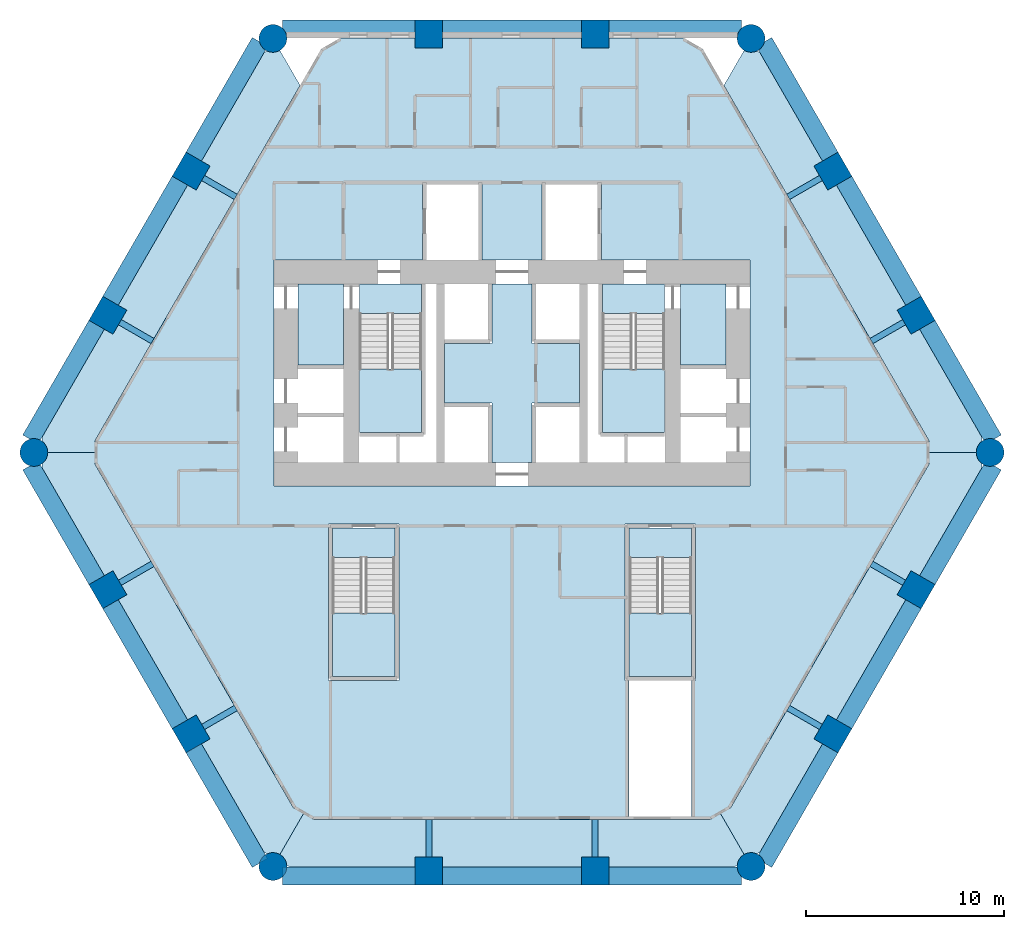
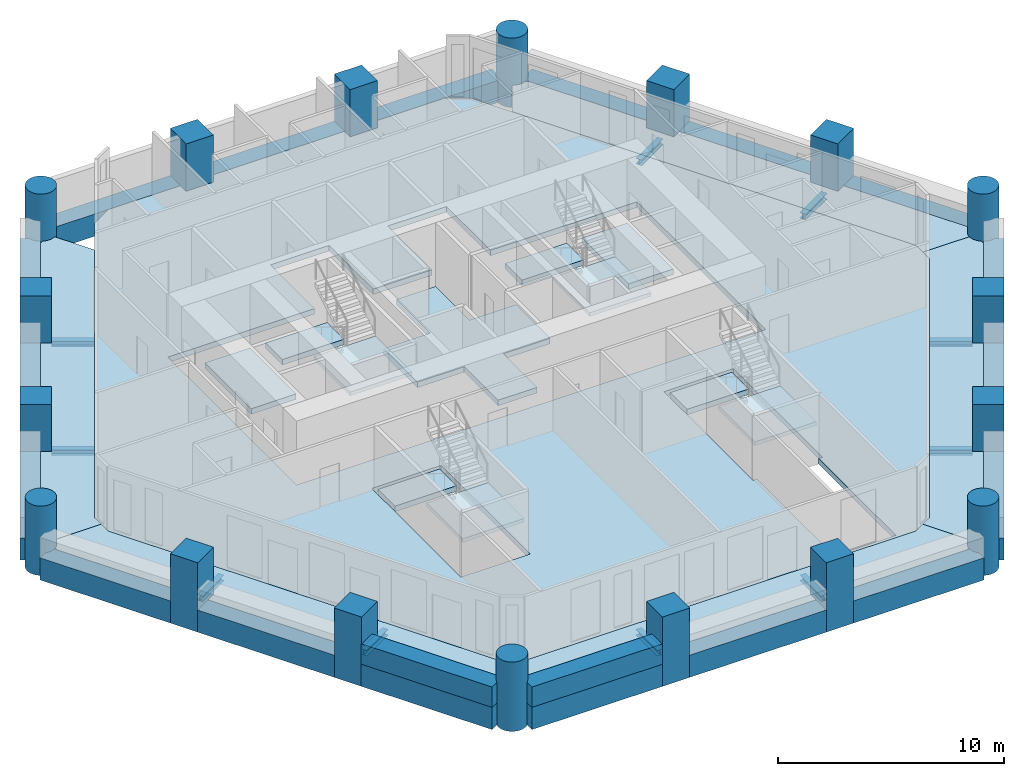
# One storey, part 1 of 8: 28 beams, 18 columns, 17 slabs, 2 walls, 4 elements without a shape of their own.
"""IFC4 building model written with IfcOpenShell, lengths in metres."""

from ifc_helpers import new_model, si_unit, direction, frame, frame_2d, origin, origin_2d, place, context, subcontext, project, spatial, polyline, rectangle, circle, i_section, outline, extrude, material, layer, layer_set, material_profile, profile_set, type_object, element, aggregate, save


model = new_model("IFC4")

# Units and contexts
model_context = context("Model", 3, precision=1e-05, world=origin(), true_north=direction((0.0, 1.0)))
body_context = subcontext(model_context, "Body", "Model", "MODEL_VIEW")
ifc_project = project(units=[si_unit("LENGTHUNIT", "METRE"), si_unit("AREAUNIT", "SQUARE_METRE"), si_unit("VOLUMEUNIT", "CUBIC_METRE"), si_unit("PLANEANGLEUNIT", "RADIAN"), si_unit("MASSUNIT", "GRAM", prefix="KILO")], contexts=[model_context])

# Site, building, storey
site_placement = place(None, origin())
site = spatial("IfcSite", under=ifc_project, at=site_placement, CompositionType="ELEMENT")
building_placement = place(site_placement, origin())
building = spatial("IfcBuilding", under=site, at=building_placement, Name="Ostrander Bayou Hotel Tower", CompositionType="ELEMENT")
storey_placement = place(building_placement, frame((0.0, 0.0, 31.75)))
storey = spatial("IfcBuildingStorey", under=building, at=storey_placement, Name="L07", CompositionType="ELEMENT", Elevation=31.75)

# Columns
ifc_material_1 = material(Name="Concrete f'c 70 MPa", Category="concrete")
ifc_material_profile_1 = material_profile(ifc_material_1, circle(Radius=0.699951171875, at=origin_2d()))
ifc_profile_set_1 = profile_set([ifc_material_profile_1], Name="Concrete f'c 70 MPa")
column_type_1 = type_object("IfcColumnType", Name="C1 round column 1400 mm f'c 70 MPa", PredefinedType="COLUMN", material=ifc_profile_set_1)
for number, where, z_axis, x_axis, name in (
    (1, (-12.050537109375, 20.872314453125, -1.199951171875), (0.0, 0.0, 1.0), (1.0, 0.0, 0.0), "C1 L07 K0"),
    (2, (-24.101318359375, 0.0, -1.199951171875), (0.0, 0.0, 1.0), (1.0, 0.0, 0.0), "C1 L07 K1"),
    (3, (-12.050537109375, -20.872314453125, -1.199951171875), (0.0, 0.0, 1.0), (1.0, 0.0, 0.0), "C1 L07 K2"),
    (4, (12.050537109375, -20.872314453125, -1.199951171875), (0.0, 0.0, 1.0), (1.0, 0.0, 0.0), "C1 L07 K3"),
    (5, (24.101318359375, 0.0, -1.199951171875), (0.0, 0.0, 1.0), (1.0, 0.0, 0.0), "C1 L07 K4"),
    (6, (12.050537109375, 20.872314453125, -1.199951171875), (0.0, 0.0, 1.0), (1.0, 0.0, 0.0), "C1 L07 K5"),
):
    element("IfcColumn", number, at=place(storey_placement, frame(where, z_axis=z_axis, x_axis=x_axis)), inside=storey, type_object=column_type_1, Name=name, PredefinedType="COLUMN", context=body_context, shape_type="SweptSolid", body=[
        extrude(circle(Radius=0.699951171875, at=origin_2d()), origin(), (0.0, 0.0, 1.0), 3.75),
    ])
ifc_material_2 = material(Name="Concrete f'c 70 MPa", Category="concrete")
ifc_material_profile_2 = material_profile(ifc_material_2, rectangle(XDim=1.39990234375, YDim=1.39990234375, at=origin_2d()))
ifc_profile_set_2 = profile_set([ifc_material_profile_2], Name="Concrete f'c 70 MPa")
column_type_2 = type_object("IfcColumnType", Name="C2 square column 1400 x 1400 mm f'c 70 MPa", PredefinedType="COLUMN", material=ifc_profile_set_2)
for number, where, z_axis, x_axis, name in (
    (7, (4.1953125, 21.10009765625, -1.199951171875), (0.0, 0.0, 1.0), (1.0, 0.0, 0.0), "C2 L07 N1"),
    (8, (-4.1953125, 21.10009765625, -1.199951171875), (0.0, 0.0, 1.0), (1.0, 0.0, 0.0), "C2 L07 N2"),
    (9, (-16.17529296875, 14.183349609375, -1.199951171875), (0.0, 0.0, 1.0), (0.5, 0.866025403784, 0.0), "C2 L07 NW1"),
    (10, (-20.370849609375, 6.916748046875, -1.199951171875), (0.0, 0.0, 1.0), (0.5, 0.866025403784, 0.0), "C2 L07 NW2"),
    (11, (-20.370849609375, -6.916748046875, -1.199951171875), (0.0, 0.0, 1.0), (-0.5, 0.866025403784, 0.0), "C2 L07 SW1"),
    (12, (-16.17529296875, -14.183349609375, -1.199951171875), (0.0, 0.0, 1.0), (-0.5, 0.866025403784, 0.0), "C2 L07 SW2"),
    (13, (-4.1953125, -21.10009765625, -1.199951171875), (0.0, 0.0, 1.0), (-1.0, 0.0, 0.0), "C2 L07 S1"),
    (14, (4.1953125, -21.10009765625, -1.199951171875), (0.0, 0.0, 1.0), (-1.0, 0.0, 0.0), "C2 L07 S2"),
    (15, (16.17529296875, -14.183349609375, -1.199951171875), (0.0, 0.0, 1.0), (-0.5, -0.866025403784, 0.0), "C2 L07 SE1"),
    (16, (20.370849609375, -6.916748046875, -1.199951171875), (0.0, 0.0, 1.0), (-0.5, -0.866025403784, 0.0), "C2 L07 SE2"),
    (17, (20.370849609375, 6.916748046875, -1.199951171875), (0.0, 0.0, 1.0), (0.5, -0.866025403784, 0.0), "C2 L07 NE1"),
    (18, (16.17529296875, 14.183349609375, -1.199951171875), (0.0, 0.0, 1.0), (0.5, -0.866025403784, 0.0), "C2 L07 NE2"),
):
    element("IfcColumn", number, at=place(storey_placement, frame(where, z_axis=z_axis, x_axis=x_axis)), inside=storey, type_object=column_type_2, Name=name, PredefinedType="COLUMN", context=body_context, shape_type="SweptSolid", body=[
        extrude(rectangle(XDim=1.39990234375, YDim=1.39990234375, at=origin_2d()), origin(), (0.0, 0.0, 1.0), 3.75),
    ])

# Beams
ifc_material_3 = material(Name="Steel ASTM A992", Category="steel")
ifc_material_profile_3 = material_profile(ifc_material_3, i_section(OverallWidth=0.3046875, OverallDepth=0.307861328125, WebThickness=0.010009765625, FlangeThickness=0.015380859375, at=origin_2d()))
ifc_profile_set_3 = profile_set([ifc_material_profile_3], Name="Steel ASTM A992")
beam_type_1 = type_object("IfcBeamType", Name="LB1 loggia bracket W12x65", PredefinedType="BEAM", material=ifc_profile_set_3)
beam_1_placement = place(storey_placement, frame((-15.569091796875, 13.833251953125, -0.453857421875), z_axis=(0.86601224135, -0.500022797313, 0.0), x_axis=(0.500022797313, 0.86601224135, 0.0)))
element("IfcBeam", 19, at=beam_1_placement, inside=storey, type_object=beam_type_1, Name="LB1 L07 NW1", PredefinedType="BEAM", context=body_context, shape_type="SweptSolid", body=[
    extrude(i_section(OverallWidth=0.3046875, OverallDepth=0.307861328125, WebThickness=0.010009765625, FlangeThickness=0.015380859375, at=origin_2d()), origin(), (0.0, 0.0, 1.0), 1.89990234375),
])
for number, where, z_axis, x_axis, name in (
    (20, (-19.7646484375, 6.566650390625, -0.453857421875), (0.866044365799, -0.499967155389, 0.0), (0.499967155389, 0.866044365799, 0.0), "LB1 L07 NW2"),
    (21, (-19.7646484375, -6.566650390625, -0.453857421875), (0.866044365799, 0.499967155389, 0.0), (-0.499967155389, 0.866044365799, 0.0), "LB1 L07 SW1"),
):
    element("IfcBeam", number, at=place(storey_placement, frame(where, z_axis=z_axis, x_axis=x_axis)), inside=storey, type_object=beam_type_1, Name=name, PredefinedType="BEAM", context=body_context, shape_type="SweptSolid", body=[
        extrude(i_section(OverallWidth=0.3046875, OverallDepth=0.307861328125, WebThickness=0.010009765625, FlangeThickness=0.015380859375, at=origin_2d()), origin(), (0.0, 0.0, 1.0), 1.900146484375),
    ])
for number, where, z_axis, x_axis, name in (
    (22, (-15.569091796875, -13.833251953125, -0.453857421875), (0.86601224135, 0.500022797313, 0.0), (-0.500022797313, 0.86601224135, 0.0), "LB1 L07 SW2"),
    (23, (-4.1953125, -20.39990234375, -0.453857421875), (0.0, 1.0, 0.0), (-1.0, 0.0, 0.0), "LB1 L07 S1"),
    (24, (4.1953125, -20.39990234375, -0.453857421875), (0.0, 1.0, 0.0), (-1.0, 0.0, 0.0), "LB1 L07 S2"),
    (25, (15.569091796875, -13.833251953125, -0.453857421875), (-0.86601224135, 0.500022797313, 0.0), (-0.500022797313, -0.86601224135, 0.0), "LB1 L07 SE1"),
):
    element("IfcBeam", number, at=place(storey_placement, frame(where, z_axis=z_axis, x_axis=x_axis)), inside=storey, type_object=beam_type_1, Name=name, PredefinedType="BEAM", context=body_context, shape_type="SweptSolid", body=[
        extrude(i_section(OverallWidth=0.3046875, OverallDepth=0.307861328125, WebThickness=0.010009765625, FlangeThickness=0.015380859375, at=origin_2d()), origin(), (0.0, 0.0, 1.0), 1.89990234375),
    ])
for number, where, z_axis, x_axis, name in (
    (26, (19.7646484375, -6.566650390625, -0.453857421875), (-0.866044365799, 0.499967155389, 0.0), (-0.499967155389, -0.866044365799, 0.0), "LB1 L07 SE2"),
    (27, (19.7646484375, 6.566650390625, -0.453857421875), (-0.866044365799, -0.499967155389, 0.0), (0.499967155389, -0.866044365799, 0.0), "LB1 L07 NE1"),
):
    element("IfcBeam", number, at=place(storey_placement, frame(where, z_axis=z_axis, x_axis=x_axis)), inside=storey, type_object=beam_type_1, Name=name, PredefinedType="BEAM", context=body_context, shape_type="SweptSolid", body=[
        extrude(i_section(OverallWidth=0.3046875, OverallDepth=0.307861328125, WebThickness=0.010009765625, FlangeThickness=0.015380859375, at=origin_2d()), origin(), (0.0, 0.0, 1.0), 1.900146484375),
    ])
beam_2_placement = place(storey_placement, frame((15.569091796875, 13.833251953125, -0.453857421875), z_axis=(-0.86601224135, -0.500022797313, 0.0), x_axis=(0.500022797313, -0.86601224135, 0.0)))
element("IfcBeam", 28, at=beam_2_placement, inside=storey, type_object=beam_type_1, Name="LB1 L07 NE2", PredefinedType="BEAM", context=body_context, shape_type="SweptSolid", body=[
    extrude(i_section(OverallWidth=0.3046875, OverallDepth=0.307861328125, WebThickness=0.010009765625, FlangeThickness=0.015380859375, at=origin_2d()), origin(), (0.0, 0.0, 1.0), 1.89990234375),
])
ifc_material_4 = material(Name="Concrete f'c 70 MPa", Category="concrete")
ifc_material_profile_4 = material_profile(ifc_material_4, rectangle(XDim=0.89990234375, YDim=1.199951171875, at=origin_2d()))
ifc_profile_set_4 = profile_set([ifc_material_profile_4], Name="Concrete f'c 70 MPa")
beam_type_2 = type_object("IfcBeamType", Name="SP1 spandrel beam 900 x 1200 mm f'c 70 MPa", PredefinedType="SPANDREL", material=ifc_profile_set_4)
beam_3_placement = place(storey_placement, frame((11.569091796875, 21.35009765625, -0.60009765625), z_axis=(-1.0, 0.0, 0.0), x_axis=(0.0, -1.0, 0.0)))
element("IfcBeam", 29, at=beam_3_placement, inside=storey, type_object=beam_type_2, Name="SP1 L07 N-1", PredefinedType="SPANDREL", context=body_context, shape_type="SweptSolid", body=[
    extrude(rectangle(XDim=0.89990234375, YDim=1.199951171875, at=origin_2d()), origin(), (0.0, 0.0, 1.0), 6.70361328125),
])
beam_4_placement = place(storey_placement, frame((3.525390625, 21.35009765625, -0.60009765625), z_axis=(-1.0, 0.0, 0.0), x_axis=(0.0, -1.0, 0.0)))
element("IfcBeam", 30, at=beam_4_placement, inside=storey, type_object=beam_type_2, Name="SP1 L07 N-2", PredefinedType="SPANDREL", context=body_context, shape_type="SweptSolid", body=[
    extrude(rectangle(XDim=0.89990234375, YDim=1.199951171875, at=origin_2d()), origin(), (0.0, 0.0, 1.0), 7.05078125),
])
for number, where, z_axis, x_axis, name in (
    (31, (-4.865478515625, 21.35009765625, -0.60009765625), (-1.0, 0.0, 0.0), (0.0, -1.0, 0.0), "SP1 L07 N-3"),
    (32, (-12.705078125, 20.694091796875, -0.60009765625), (-0.500005133765, -0.866022439784, 0.0), (0.866022439784, -0.500005133765, 0.0), "SP1 L07 NW-1"),
):
    element("IfcBeam", number, at=place(storey_placement, frame(where, z_axis=z_axis, x_axis=x_axis)), inside=storey, type_object=beam_type_2, Name=name, PredefinedType="SPANDREL", context=body_context, shape_type="SweptSolid", body=[
        extrude(rectangle(XDim=0.89990234375, YDim=1.199951171875, at=origin_2d()), origin(), (0.0, 0.0, 1.0), 6.70361328125),
    ])
beam_5_placement = place(storey_placement, frame((-16.726806640625, 13.72802734375, -0.60009765625), z_axis=(-0.499997206141, -0.866027016814, 0.0), x_axis=(0.866027016814, -0.499997206141, 0.0)))
element("IfcBeam", 33, at=beam_5_placement, inside=storey, type_object=beam_type_2, Name="SP1 L07 NW-2", PredefinedType="SPANDREL", context=body_context, shape_type="SweptSolid", body=[
    extrude(rectangle(XDim=0.89990234375, YDim=1.199951171875, at=origin_2d()), origin(), (0.0, 0.0, 1.0), 7.05078125),
])
for number, where, z_axis, x_axis, name in (
    (34, (-20.92236328125, 6.46142578125, -0.60009765625), (-0.500005133765, -0.866022439784, 0.0), (0.866022439784, -0.500005133765, 0.0), "SP1 L07 NW-3"),
    (35, (-24.274169921875, -0.656005859375, -0.60009765625), (0.500005133765, -0.866022439784, 0.0), (0.866022439784, 0.500005133765, 0.0), "SP1 L07 SW-1"),
):
    element("IfcBeam", number, at=place(storey_placement, frame(where, z_axis=z_axis, x_axis=x_axis)), inside=storey, type_object=beam_type_2, Name=name, PredefinedType="SPANDREL", context=body_context, shape_type="SweptSolid", body=[
        extrude(rectangle(XDim=0.89990234375, YDim=1.199951171875, at=origin_2d()), origin(), (0.0, 0.0, 1.0), 6.70361328125),
    ])
beam_6_placement = place(storey_placement, frame((-20.252197265625, -7.621826171875, -0.60009765625), z_axis=(0.499997206141, -0.866027016814, 0.0), x_axis=(0.866027016814, 0.499997206141, 0.0)))
element("IfcBeam", 36, at=beam_6_placement, inside=storey, type_object=beam_type_2, Name="SP1 L07 SW-2", PredefinedType="SPANDREL", context=body_context, shape_type="SweptSolid", body=[
    extrude(rectangle(XDim=0.89990234375, YDim=1.199951171875, at=origin_2d()), origin(), (0.0, 0.0, 1.0), 7.05078125),
])
for number, where, z_axis, x_axis, name in (
    (37, (-16.056884765625, -14.888671875, -0.60009765625), (0.500005133765, -0.866022439784, 0.0), (0.866022439784, 0.500005133765, 0.0), "SP1 L07 SW-3"),
    (38, (-11.569091796875, -21.35009765625, -0.60009765625), (1.0, 0.0, 0.0), (0.0, 1.0, 0.0), "SP1 L07 S-1"),
):
    element("IfcBeam", number, at=place(storey_placement, frame(where, z_axis=z_axis, x_axis=x_axis)), inside=storey, type_object=beam_type_2, Name=name, PredefinedType="SPANDREL", context=body_context, shape_type="SweptSolid", body=[
        extrude(rectangle(XDim=0.89990234375, YDim=1.199951171875, at=origin_2d()), origin(), (0.0, 0.0, 1.0), 6.70361328125),
    ])
beam_7_placement = place(storey_placement, frame((-3.525390625, -21.35009765625, -0.60009765625), z_axis=(1.0, 0.0, 0.0), x_axis=(0.0, 1.0, 0.0)))
element("IfcBeam", 39, at=beam_7_placement, inside=storey, type_object=beam_type_2, Name="SP1 L07 S-2", PredefinedType="SPANDREL", context=body_context, shape_type="SweptSolid", body=[
    extrude(rectangle(XDim=0.89990234375, YDim=1.199951171875, at=origin_2d()), origin(), (0.0, 0.0, 1.0), 7.05078125),
])
for number, where, z_axis, x_axis, name in (
    (40, (4.865478515625, -21.35009765625, -0.60009765625), (1.0, 0.0, 0.0), (0.0, 1.0, 0.0), "SP1 L07 S-3"),
    (41, (12.705078125, -20.694091796875, -0.60009765625), (0.500005133765, 0.866022439784, 0.0), (-0.866022439784, 0.500005133765, 0.0), "SP1 L07 SE-1"),
):
    element("IfcBeam", number, at=place(storey_placement, frame(where, z_axis=z_axis, x_axis=x_axis)), inside=storey, type_object=beam_type_2, Name=name, PredefinedType="SPANDREL", context=body_context, shape_type="SweptSolid", body=[
        extrude(rectangle(XDim=0.89990234375, YDim=1.199951171875, at=origin_2d()), origin(), (0.0, 0.0, 1.0), 6.70361328125),
    ])
beam_8_placement = place(storey_placement, frame((16.726806640625, -13.72802734375, -0.60009765625), z_axis=(0.499997206141, 0.866027016814, 0.0), x_axis=(-0.866027016814, 0.499997206141, 0.0)))
element("IfcBeam", 42, at=beam_8_placement, inside=storey, type_object=beam_type_2, Name="SP1 L07 SE-2", PredefinedType="SPANDREL", context=body_context, shape_type="SweptSolid", body=[
    extrude(rectangle(XDim=0.89990234375, YDim=1.199951171875, at=origin_2d()), origin(), (0.0, 0.0, 1.0), 7.05078125),
])
for number, where, z_axis, x_axis, name in (
    (43, (20.92236328125, -6.46142578125, -0.60009765625), (0.500005133765, 0.866022439784, 0.0), (-0.866022439784, 0.500005133765, 0.0), "SP1 L07 SE-3"),
    (44, (24.274169921875, 0.656005859375, -0.60009765625), (-0.500005133765, 0.866022439784, 0.0), (-0.866022439784, -0.500005133765, 0.0), "SP1 L07 NE-1"),
):
    element("IfcBeam", number, at=place(storey_placement, frame(where, z_axis=z_axis, x_axis=x_axis)), inside=storey, type_object=beam_type_2, Name=name, PredefinedType="SPANDREL", context=body_context, shape_type="SweptSolid", body=[
        extrude(rectangle(XDim=0.89990234375, YDim=1.199951171875, at=origin_2d()), origin(), (0.0, 0.0, 1.0), 6.70361328125),
    ])
beam_9_placement = place(storey_placement, frame((20.252197265625, 7.621826171875, -0.60009765625), z_axis=(-0.499997206141, 0.866027016814, 0.0), x_axis=(-0.866027016814, -0.499997206141, 0.0)))
element("IfcBeam", 45, at=beam_9_placement, inside=storey, type_object=beam_type_2, Name="SP1 L07 NE-2", PredefinedType="SPANDREL", context=body_context, shape_type="SweptSolid", body=[
    extrude(rectangle(XDim=0.89990234375, YDim=1.199951171875, at=origin_2d()), origin(), (0.0, 0.0, 1.0), 7.05078125),
])
beam_10_placement = place(storey_placement, frame((16.056884765625, 14.888671875, -0.60009765625), z_axis=(-0.500005133765, 0.866022439784, 0.0), x_axis=(-0.866022439784, -0.500005133765, 0.0)))
element("IfcBeam", 46, at=beam_10_placement, inside=storey, type_object=beam_type_2, Name="SP1 L07 NE-3", PredefinedType="SPANDREL", context=body_context, shape_type="SweptSolid", body=[
    extrude(rectangle(XDim=0.89990234375, YDim=1.199951171875, at=origin_2d()), origin(), (0.0, 0.0, 1.0), 6.70361328125),
])

# Slabs
ifc_material_5 = material(Name="Concrete f'c 40 MPa", Category="concrete")
ifc_layer_1 = layer(ifc_material_5, 0.300048828125)
ifc_layer_set_1 = layer_set([ifc_layer_1], Name="SL1 floor slab 300 mm f'c 40 MPa")
slab_type_1 = type_object("IfcSlabType", Name="SL1 floor slab 300 mm f'c 40 MPa", PredefinedType="FLOOR", material=ifc_layer_set_1)
slab_1_placement = place(storey_placement, frame((0.0, 0.0, -0.300048828125)))
element("IfcSlab", 47, at=slab_1_placement, inside=storey, type_object=slab_type_1, Name="SL1 L07 1", PredefinedType="FLOOR", context=body_context, shape_type="SweptSolid", body=[
    extrude(outline(polyline([(-3.525390625, 20.89990234375), (3.525390625, 20.89990234375), (4.865478515625, 20.89990234375), (8.6025390625, 20.89990234375), (9.6416015625, 20.300048828125), (21.015380859375, 0.60009765625), (21.015380859375, -0.60009765625), (11.02734375, -17.89990234375), (9.98828125, -18.5), (-9.98828125, -18.5), (-11.02734375, -17.89990234375), (-21.015380859375, -0.60009765625), (-21.015380859375, 0.60009765625), (-9.6416015625, 20.300048828125), (-8.6025390625, 20.89990234375), (-4.865478515625, 20.89990234375), (-3.525390625, 20.89990234375)]), holes=[polyline([(-12.0, -1.699951171875), (12.0, -1.699951171875), (12.0, 9.699951171875), (4.5, 9.699951171875), (4.5, 13.60009765625), (1.5, 13.60009765625), (1.5, 9.699951171875), (-1.5, 9.699951171875), (-1.5, 13.60009765625), (-4.5, 13.60009765625), (-4.5, 9.699951171875), (-12.0, 9.699951171875), (-12.0, -1.699951171875)]), polyline([(9.050048828125, -11.5), (9.25, -11.5), (9.25, -3.60009765625), (5.699951171875, -3.60009765625), (5.699951171875, -11.5), (5.89990234375, -11.5), (5.89990234375, -18.35009765625), (9.050048828125, -18.35009765625), (9.050048828125, -11.5)]), polyline([(-5.699951171875, -3.60009765625), (-9.25, -3.60009765625), (-9.25, -11.5), (-5.699951171875, -11.5), (-5.699951171875, -3.60009765625)])]), origin(), (0.0, 0.0, 1.0), 0.300048828125),
])
slab_2_placement = place(storey_placement, frame((0.0, 0.0, -0.300048828125)))
element("IfcSlab", 48, at=slab_2_placement, inside=storey, type_object=slab_type_1, Name="cslab:L07:001", PredefinedType="FLOOR", context=body_context, shape_type="SweptSolid", body=[
    extrude(outline(polyline([(-3.39990234375, 5.5), (-1.0, 5.5), (-1.0, 8.5), (1.0, 8.5), (1.0, 5.5), (3.39990234375, 5.5), (3.39990234375, 2.5), (1.0, 2.5), (1.0, -0.5), (-1.0, -0.5), (-1.0, 2.5), (-3.39990234375, 2.5), (-3.39990234375, 5.5)])), origin(), (0.0, 0.0, 1.0), 0.300048828125),
])
slab_3_placement = place(storey_placement, frame((0.0, 0.0, -0.300048828125)))
element("IfcSlab", 49, at=slab_3_placement, inside=storey, type_object=slab_type_1, Name="cslab:L07:002", PredefinedType="FLOOR", context=body_context, shape_type="SweptSolid", body=[
    extrude(outline(polyline([(-8.5, 4.39990234375), (-8.5, 8.5), (-10.800048828125, 8.5), (-10.800048828125, 4.39990234375), (-8.5, 4.39990234375)])), origin(), (0.0, 0.0, 1.0), 0.300048828125),
])
slab_4_placement = place(storey_placement, frame((0.0, 0.0, -0.300048828125)))
element("IfcSlab", 50, at=slab_4_placement, inside=storey, type_object=slab_type_1, Name="cslab:L07:003", PredefinedType="FLOOR", context=body_context, shape_type="SweptSolid", body=[
    extrude(outline(polyline([(10.800048828125, 4.39990234375), (10.800048828125, 8.5), (8.5, 8.5), (8.5, 4.39990234375), (10.800048828125, 4.39990234375)])), origin(), (0.0, 0.0, 1.0), 0.300048828125),
])
slab_5_placement = place(storey_placement, frame((0.0, 0.0, -0.300048828125)))
element("IfcSlab", 51, at=slab_5_placement, inside=storey, type_object=slab_type_1, Name="cslab:L07:004", PredefinedType="FLOOR", context=body_context, shape_type="SweptSolid", body=[
    extrude(outline(polyline([(-4.550048828125, 7.0), (-4.550048828125, 8.5), (-7.699951171875, 8.5), (-7.699951171875, 7.0), (-4.550048828125, 7.0)])), origin(), (0.0, 0.0, 1.0), 0.300048828125),
])
slab_6_placement = place(storey_placement, frame((0.0, 0.0, -0.300048828125)))
element("IfcSlab", 52, at=slab_6_placement, inside=storey, type_object=slab_type_1, Name="cslab:L07:005", PredefinedType="FLOOR", context=body_context, shape_type="SweptSolid", body=[
    extrude(outline(polyline([(7.699951171875, 7.0), (7.699951171875, 8.5), (4.550048828125, 8.5), (4.550048828125, 7.0), (7.699951171875, 7.0)])), origin(), (0.0, 0.0, 1.0), 0.300048828125),
])
slab_7_placement = place(storey_placement, frame((0.0, 0.0, -0.300048828125)))
element("IfcSlab", 53, at=slab_7_placement, inside=storey, type_object=slab_type_1, Name="cslab:L07:006", PredefinedType="FLOOR", context=body_context, shape_type="SweptSolid", body=[
    extrude(outline(polyline([(9.050048828125, -5.300048828125), (9.050048828125, -3.800048828125), (5.89990234375, -3.800048828125), (5.89990234375, -5.300048828125), (9.050048828125, -5.300048828125)])), origin(), (0.0, 0.0, 1.0), 0.300048828125),
])
slab_8_placement = place(storey_placement, frame((0.0, 0.0, -0.300048828125)))
element("IfcSlab", 54, at=slab_8_placement, inside=storey, type_object=slab_type_1, Name="cslab:L07:007", PredefinedType="FLOOR", context=body_context, shape_type="SweptSolid", body=[
    extrude(outline(polyline([(-5.89990234375, -5.300048828125), (-5.89990234375, -3.800048828125), (-9.050048828125, -3.800048828125), (-9.050048828125, -5.300048828125), (-5.89990234375, -5.300048828125)])), origin(), (0.0, 0.0, 1.0), 0.300048828125),
])
ifc_material_6 = material(Name="Concrete f'c 40 MPa", Category="concrete")
ifc_layer_2 = layer(ifc_material_6, 0.300048828125)
ifc_layer_set_2 = layer_set([ifc_layer_2], Name="SL4 loggia slab 300 mm f'c 40 MPa")
slab_type_2 = type_object("IfcSlabType", Name="SL4 loggia slab 300 mm f'c 40 MPa", PredefinedType="FLOOR", material=ifc_layer_set_2)
slab_9_placement = place(storey_placement, frame((0.0, 0.0, -0.300048828125)))
element("IfcSlab", 55, at=slab_9_placement, inside=storey, type_object=slab_type_2, Name="SL4 LOGGIA L07 NW 1", PredefinedType="FLOOR", context=body_context, shape_type="SweptSolid", body=[
    extrude(outline(polyline([(-23.401123046875, 0.0), (-23.41455078125, 0.13671875), (-23.45458984375, 0.267822265625), (-23.519287109375, 0.388916015625), (-23.606201171875, 0.4951171875), (-23.7001953125, 0.572021484375), (-23.7001953125, 0.75), (-20.53271484375, 6.236328125), (-19.862548828125, 7.39697265625), (-16.337158203125, 13.503173828125), (-15.667236328125, 14.66357421875), (-12.49951171875, 20.14990234375), (-12.344482421875, 20.239501953125), (-12.318603515625, 20.2255859375), (-12.187255859375, 20.185791015625), (-12.050537109375, 20.172119140625), (-11.9140625, 20.185791015625), (-11.78271484375, 20.2255859375), (-11.7021484375, 20.2685546875), (-10.680908203125, 18.5), (-21.015380859375, 0.60009765625), (-21.015380859375, 0.0), (-23.401123046875, 0.0)])), origin(), (0.0, 0.0, 1.0), 0.300048828125),
])
slab_10_placement = place(storey_placement, frame((0.0, 0.0, -0.300048828125)))
element("IfcSlab", 56, at=slab_10_placement, inside=storey, type_object=slab_type_2, Name="SL4 LOGGIA L07 SW 1", PredefinedType="FLOOR", context=body_context, shape_type="SweptSolid", body=[
    extrude(outline(polyline([(-10.5078125, -18.199951171875), (-11.7021484375, -20.2685546875), (-11.78271484375, -20.2255859375), (-11.9140625, -20.185791015625), (-12.050537109375, -20.172119140625), (-12.187255859375, -20.185791015625), (-12.318603515625, -20.2255859375), (-12.344482421875, -20.239501953125), (-12.49951171875, -20.14990234375), (-15.667236328125, -14.66357421875), (-16.337158203125, -13.503173828125), (-19.862548828125, -7.39697265625), (-20.53271484375, -6.236328125), (-23.505126953125, -1.087890625), (-23.7001953125, -0.75), (-23.7001953125, -0.572021484375), (-23.606201171875, -0.4951171875), (-23.519287109375, -0.388916015625), (-23.45458984375, -0.267822265625), (-23.41455078125, -0.13671875), (-23.401123046875, 0.0), (-21.015380859375, 0.0), (-21.015380859375, -0.60009765625), (-11.02734375, -17.89990234375), (-10.5078125, -18.199951171875)])), origin(), (0.0, 0.0, 1.0), 0.300048828125),
])
slab_11_placement = place(storey_placement, frame((0.0, 0.0, -0.300048828125)))
element("IfcSlab", 57, at=slab_11_placement, inside=storey, type_object=slab_type_2, Name="SL4 LOGGIA L07 S 1", PredefinedType="FLOOR", context=body_context, shape_type="SweptSolid", body=[
    extrude(outline(polyline([(10.5078125, -18.199951171875), (11.7021484375, -20.2685546875), (11.66162109375, -20.290283203125), (11.5556640625, -20.377197265625), (11.468505859375, -20.4833984375), (11.40380859375, -20.6044921875), (11.364013671875, -20.735595703125), (11.356689453125, -20.809814453125), (11.20068359375, -20.89990234375), (4.865478515625, -20.89990234375), (3.525390625, -20.89990234375), (-3.525390625, -20.89990234375), (-4.865478515625, -20.89990234375), (-11.20068359375, -20.89990234375), (-11.356689453125, -20.809814453125), (-11.364013671875, -20.735595703125), (-11.40380859375, -20.6044921875), (-11.468505859375, -20.4833984375), (-11.5556640625, -20.377197265625), (-11.66162109375, -20.290283203125), (-11.7021484375, -20.2685546875), (-10.5078125, -18.199951171875), (-9.98828125, -18.5), (9.98828125, -18.5), (10.5078125, -18.199951171875)])), origin(), (0.0, 0.0, 1.0), 0.300048828125),
])
slab_12_placement = place(storey_placement, frame((0.0, 0.0, -0.300048828125)))
element("IfcSlab", 58, at=slab_12_placement, inside=storey, type_object=slab_type_2, Name="SL4 LOGGIA L07 SE 1", PredefinedType="FLOOR", context=body_context, shape_type="SweptSolid", body=[
    extrude(outline(polyline([(21.015380859375, 0.0), (23.401123046875, 0.0), (23.41455078125, -0.13671875), (23.45458984375, -0.267822265625), (23.519287109375, -0.388916015625), (23.606201171875, -0.4951171875), (23.7001953125, -0.572021484375), (23.7001953125, -0.75), (20.53271484375, -6.236328125), (19.862548828125, -7.39697265625), (16.337158203125, -13.503173828125), (15.667236328125, -14.66357421875), (12.49951171875, -20.14990234375), (12.344482421875, -20.239501953125), (12.318603515625, -20.2255859375), (12.187255859375, -20.185791015625), (12.050537109375, -20.172119140625), (11.9140625, -20.185791015625), (11.78271484375, -20.2255859375), (11.7021484375, -20.2685546875), (10.5078125, -18.199951171875), (11.02734375, -17.89990234375), (21.015380859375, -0.60009765625), (21.015380859375, 0.0)])), origin(), (0.0, 0.0, 1.0), 0.300048828125),
])
slab_13_placement = place(storey_placement, frame((0.0, 0.0, -0.300048828125)))
element("IfcSlab", 59, at=slab_13_placement, inside=storey, type_object=slab_type_2, Name="SL4 LOGGIA L07 NE 1", PredefinedType="FLOOR", context=body_context, shape_type="SweptSolid", body=[
    extrude(outline(polyline([(11.7021484375, 20.2685546875), (11.78271484375, 20.2255859375), (11.9140625, 20.185791015625), (12.050537109375, 20.172119140625), (12.187255859375, 20.185791015625), (12.318603515625, 20.2255859375), (12.344482421875, 20.239501953125), (12.49951171875, 20.14990234375), (13.924560546875, 17.681884765625), (14.598388671875, 16.5146484375), (15.667236328125, 14.66357421875), (16.337158203125, 13.503173828125), (19.862548828125, 7.39697265625), (20.53271484375, 6.236328125), (23.7001953125, 0.75), (23.7001953125, 0.572021484375), (23.606201171875, 0.4951171875), (23.519287109375, 0.388916015625), (23.45458984375, 0.267822265625), (23.41455078125, 0.13671875), (23.401123046875, 0.0), (21.015380859375, 0.0), (21.015380859375, 0.60009765625), (10.680908203125, 18.5), (11.7021484375, 20.2685546875)])), origin(), (0.0, 0.0, 1.0), 0.300048828125),
])

# Stair, slab
ifc_material_7 = material(Name="Concrete f'c 45 MPa", Category="concrete")
stair_type = type_object("IfcStairType", Name="ST1 exit stair 1500 mm f'c 45 MPa", PredefinedType="HALF_TURN_STAIR", material=ifc_material_7)
stair_1_placement = place(storey_placement, origin())
stair_1 = element("IfcStair", 60, at=stair_1_placement, inside=storey, type_object=stair_type, Name="L07 exit stair A", PredefinedType="HALF_TURN_STAIR")
ifc_material_8 = material(Name="Concrete f'c 45 MPa", Category="concrete")
ifc_layer_3 = layer(ifc_material_8, 0.199951171875)
ifc_layer_set_3 = layer_set([ifc_layer_3], Name="SL8 stair landing 200 mm f'c 45 MPa")
slab_type_3 = type_object("IfcSlabType", Name="SL8 stair landing 200 mm f'c 45 MPa", PredefinedType="LANDING", material=ifc_layer_set_3)
slab_14_placement = place(storey_placement, frame((0.0, 0.0, 1.675048828125)))
slab_14 = element("IfcSlab", 61, at=slab_14_placement, type_object=slab_type_3, Name="STA landing 1", PredefinedType="LANDING", context=body_context, shape_type="SweptSolid", body=[
    extrude(outline(polyline([(-7.699951171875, 4.199951171875), (-7.699951171875, 1.0), (-4.550048828125, 1.0), (-4.550048828125, 4.199951171875), (-7.699951171875, 4.199951171875)])), origin(), (0.0, 0.0, 1.0), 0.199951171875),
])
aggregate(stair_1, [slab_14])

stair_2_placement = place(storey_placement, origin())
stair_2 = element("IfcStair", 62, at=stair_2_placement, inside=storey, type_object=stair_type, Name="L07 exit stair B", PredefinedType="HALF_TURN_STAIR")
slab_15_placement = place(storey_placement, frame((0.0, 0.0, 1.675048828125)))
slab_15 = element("IfcSlab", 63, at=slab_15_placement, type_object=slab_type_3, Name="STB landing 1", PredefinedType="LANDING", context=body_context, shape_type="SweptSolid", body=[
    extrude(outline(polyline([(4.550048828125, 4.199951171875), (4.550048828125, 1.0), (7.699951171875, 1.0), (7.699951171875, 4.199951171875), (4.550048828125, 4.199951171875)])), origin(), (0.0, 0.0, 1.0), 0.199951171875),
])
aggregate(stair_2, [slab_15])

stair_3_placement = place(storey_placement, origin())
stair_3 = element("IfcStair", 64, at=stair_3_placement, inside=storey, type_object=stair_type, Name="L07 exit stair C", PredefinedType="HALF_TURN_STAIR")
slab_16_placement = place(storey_placement, frame((0.0, 0.0, 1.675048828125)))
slab_16 = element("IfcSlab", 65, at=slab_16_placement, type_object=slab_type_3, Name="STC landing 1", PredefinedType="LANDING", context=body_context, shape_type="SweptSolid", body=[
    extrude(outline(polyline([(5.89990234375, -8.10009765625), (5.89990234375, -11.300048828125), (9.050048828125, -11.300048828125), (9.050048828125, -8.10009765625), (5.89990234375, -8.10009765625)])), origin(), (0.0, 0.0, 1.0), 0.199951171875),
])
aggregate(stair_3, [slab_16])

stair_4_placement = place(storey_placement, origin())
stair_4 = element("IfcStair", 66, at=stair_4_placement, inside=storey, type_object=stair_type, Name="L07 exit stair D", PredefinedType="HALF_TURN_STAIR")
slab_17_placement = place(storey_placement, frame((0.0, 0.0, 1.675048828125)))
slab_17 = element("IfcSlab", 67, at=slab_17_placement, type_object=slab_type_3, Name="STD landing 1", PredefinedType="LANDING", context=body_context, shape_type="SweptSolid", body=[
    extrude(outline(polyline([(-9.050048828125, -8.10009765625), (-9.050048828125, -11.300048828125), (-5.89990234375, -11.300048828125), (-5.89990234375, -8.10009765625), (-9.050048828125, -8.10009765625)])), origin(), (0.0, 0.0, 1.0), 0.199951171875),
])
aggregate(stair_4, [slab_17])

# Walls
ifc_material_9 = material(Name="Concrete f'c 40 MPa", Category="concrete")
ifc_layer_4 = layer(ifc_material_9, 0.89990234375)
ifc_layer_set_4 = layer_set([ifc_layer_4], Name="PA1 stone-faced parapet 900 mm")
wall_type_1 = type_object("IfcWallType", Name="PA1 stone-faced parapet 900 mm", PredefinedType="PARAPET", material=ifc_layer_set_4)
wall_1_placement = place(storey_placement, frame((-11.569091796875, -21.35009765625, 0.0), z_axis=(0.0, 0.0, 1.0), x_axis=(1.0, 0.0, 0.0)))
element("IfcWall", 68, at=wall_1_placement, inside=storey, type_object=wall_type_1, Name="PA1 L07 S-1", PredefinedType="PARAPET", context=body_context, shape_type="SweptSolid", body=[
    extrude(rectangle(XDim=6.70361328125, YDim=0.89990234375, at=frame_2d((3.351806640625, 0.0))), origin(), (0.0, 0.0, 1.0), 1.10009765625),
])
ifc_material_10 = material(Name="Limestone masonry", Category="masonry")
ifc_layer_5 = layer(ifc_material_10, 0.89990234375)
ifc_layer_set_5 = layer_set([ifc_layer_5], Name="PA2 limestone parapet 900 mm")
wall_type_2 = type_object("IfcWallType", Name="PA2 limestone parapet 900 mm", PredefinedType="PARAPET", material=ifc_layer_set_5)
wall_2_placement = place(storey_placement, frame((-16.056884765625, -14.888671875, 0.0), z_axis=(0.0, 0.0, 1.0), x_axis=(0.500005133765, -0.866022439784, 0.0)))
element("IfcWall", 69, at=wall_2_placement, inside=storey, type_object=wall_type_2, Name="PA2 L07 SW-3", PredefinedType="PARAPET", context=body_context, shape_type="SweptSolid", body=[
    extrude(rectangle(XDim=6.70361328125, YDim=0.89990234375, at=frame_2d((3.351806640625, 0.0))), origin(), (0.0, 0.0, 1.0), 1.10009765625),
])

save(model, "model.ifc")
